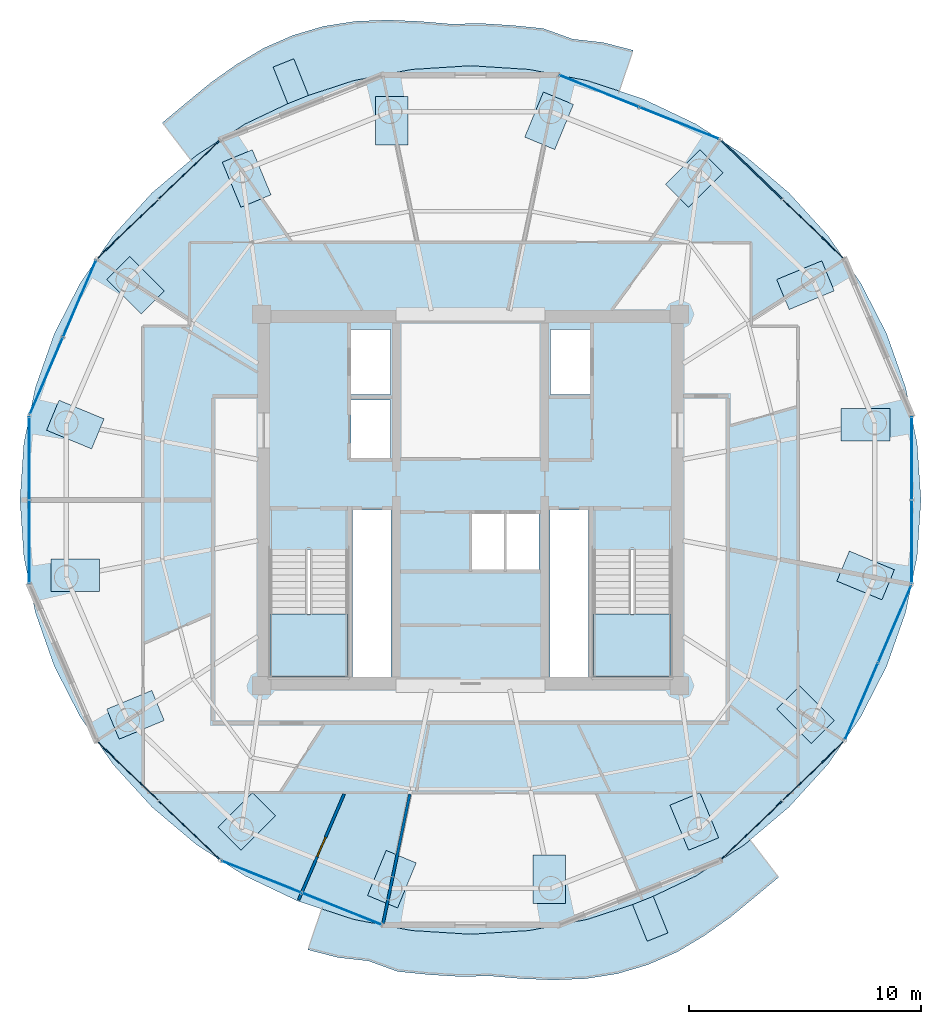
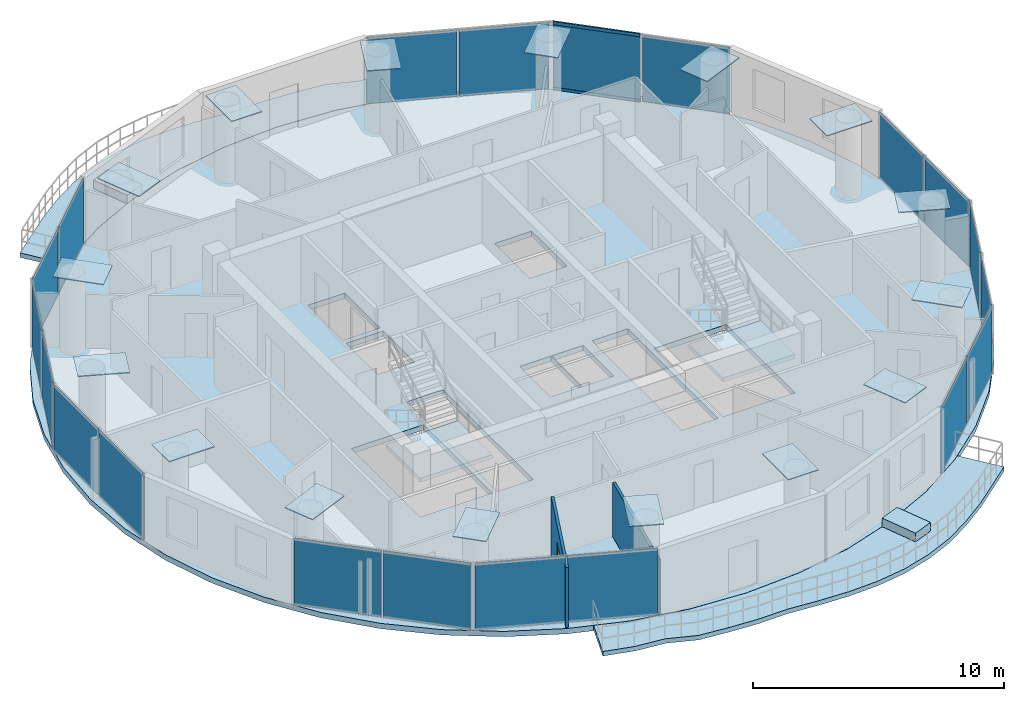
# One storey, part 16 of 23: 36 plates, 7 slabs, 2 members, 2 walls, 1 door, 1 opening, 12 elements without a shape of their own.
"""IFC4 building model written with IfcOpenShell, lengths in metres."""

from ifc_helpers import new_model, si_unit, direction, frame, frame_2d, origin, origin_2d, place, context, subcontext, project, spatial, polyline, rectangle, hollow_rectangle, outline, extrude, source, transform, mapped, material, layer, layer_set, material_profile, profile_set, type_object, element, fill, aggregate, save


model = new_model("IFC4")

# Units and contexts
model_context = context("Model", 3, precision=1e-05, world=origin(), true_north=direction((-0.2419218956, 0.970295726276)))
body_context = subcontext(model_context, "Body", "Model", "MODEL_VIEW")
ifc_project = project(units=[si_unit("LENGTHUNIT", "METRE"), si_unit("AREAUNIT", "SQUARE_METRE"), si_unit("VOLUMEUNIT", "CUBIC_METRE"), si_unit("PLANEANGLEUNIT", "RADIAN"), si_unit("MASSUNIT", "GRAM", prefix="KILO")], contexts=[model_context])

# Site, building, storey
site_placement = place(None, origin())
site = spatial("IfcSite", under=ifc_project, at=site_placement, CompositionType="ELEMENT")
building_placement = place(site_placement, origin())
building = spatial("IfcBuilding", under=site, at=building_placement, Name="Cobrevalo Terracotta Tower", CompositionType="ELEMENT")
storey_placement = place(building_placement, frame((0.0, 0.0, 296.949951171875)))
storey = spatial("IfcBuildingStorey", under=building, at=storey_placement, Name="L78", CompositionType="ELEMENT", Elevation=296.949951171875)

# Curtain wall, members
ifc_material_1 = material(Name="Anodized aluminium", Category="aluminium")
curtain_wall_type = type_object("IfcCurtainWallType", Name="Upper-tower triple-glazed penthouse curtain wall CW-U3", PredefinedType="NOTDEFINED", material=ifc_material_1)
curtain_wall_1_placement = place(storey_placement, origin())
curtain_wall_1 = element("IfcCurtainWall", 1, at=curtain_wall_1_placement, inside=storey, type_object=curtain_wall_type, Name="L78 curtain wall CW-L78-S02", PredefinedType="NOTDEFINED")
ifc_material_profile = material_profile(ifc_material_1, hollow_rectangle(XDim=0.074951171875, YDim=0.14990234375, WallThickness=0.00439453125, at=origin_2d()), Name="CWT 75x150")
ifc_profile_set = profile_set([ifc_material_profile], Name="Anodized aluminium")
member_type = type_object("IfcMemberType", Name="Tower unitised aluminium transom 75x150", PredefinedType="USERDEFINED", material=ifc_profile_set)
shared_shape_1 = source(origin(), body_context, "Body", "SweptSolid", [
    extrude(hollow_rectangle(XDim=0.074951171875, YDim=0.14990234375, WallThickness=0.00439453125, at=origin_2d()), origin(), (0.0, 0.0, 1.0), 3.59130859375),
])
member_1_placement = place(storey_placement, frame((51.40478515625, 39.77587890625, 0.050048828125), z_axis=(-0.720005628362, 0.693968223427, 0.0), x_axis=(-0.693968223427, -0.720005628362, 0.0)))
member_1 = element("IfcMember", 2, at=member_1_placement, type_object=member_type, Name="CW-L78-S02 transom B02-T1", ObjectType="TRANSOM", PredefinedType="USERDEFINED", context=body_context, shape_type="MappedRepresentation", body=[
    mapped(shared_shape_1, transform((0.0, 0.0, 0.0), scale=1.0)),
])
member_2_placement = place(storey_placement, frame((51.40478515625, 39.77587890625, 3.25), z_axis=(-0.720005628362, 0.693968223427, 0.0), x_axis=(-0.693968223427, -0.720005628362, 0.0)))
member_2 = element("IfcMember", 3, at=member_2_placement, type_object=member_type, Name="CW-L78-S02 transom B02-T2", ObjectType="TRANSOM", PredefinedType="USERDEFINED", context=body_context, shape_type="MappedRepresentation", body=[
    mapped(shared_shape_1, transform((0.0, 0.0, 0.0), scale=1.0)),
])

# Stair, slab
ifc_material_2 = material(Name="Concrete C50", Category="concrete")
stair_type = type_object("IfcStairType", Name="Core protected escape dogleg stair 1600", PredefinedType="HALF_TURN_STAIR", material=ifc_material_2)
stair_1_placement = place(storey_placement, origin())
stair_1 = element("IfcStair", 4, at=stair_1_placement, inside=storey, type_object=stair_type, Name="L78 Protected exit stair ST-1", PredefinedType="HALF_TURN_STAIR")
ifc_layer_1 = layer(ifc_material_2, 0.199951171875)
ifc_layer_set_1 = layer_set([ifc_layer_1], Name="Concrete C50")
slab_type_1 = type_object("IfcSlabType", Name="Reinforced Concrete Stair Landing 200", PredefinedType="LANDING", material=ifc_layer_set_1)
slab_1_placement = place(storey_placement, frame((0.0, 0.0, 1.675048828125)))
slab_1 = element("IfcSlab", 5, at=slab_1_placement, type_object=slab_type_1, Name="ST-1 landing 1", PredefinedType="LANDING", context=body_context, shape_type="SweptSolid", body=[
    extrude(outline(polyline([(29.375, 21.89990234375), (29.375, 19.175048828125), (32.695068359375, 19.175048828125), (32.695068359375, 21.89990234375), (29.375, 21.89990234375)])), origin(), (0.0, 0.0, 1.0), 0.199951171875),
])
aggregate(stair_1, [slab_1])

stair_2_placement = place(storey_placement, origin())
stair_2 = element("IfcStair", 6, at=stair_2_placement, inside=storey, type_object=stair_type, Name="L78 Protected exit stair ST-2", PredefinedType="HALF_TURN_STAIR")
slab_2_placement = place(storey_placement, frame((0.0, 0.0, 1.675048828125)))
slab_2 = element("IfcSlab", 7, at=slab_2_placement, type_object=slab_type_1, Name="ST-2 landing 1", PredefinedType="LANDING", context=body_context, shape_type="SweptSolid", body=[
    extrude(outline(polyline([(43.304931640625, 21.89990234375), (43.304931640625, 19.175048828125), (46.625, 19.175048828125), (46.625, 21.89990234375), (43.304931640625, 21.89990234375)])), origin(), (0.0, 0.0, 1.0), 0.199951171875),
])
aggregate(stair_2, [slab_2])

# Slabs
ifc_material_3 = material(Name="Concrete C45", Category="concrete")
ifc_layer_2 = layer(ifc_material_3, 0.219970703125)
ifc_layer_set_2 = layer_set([ifc_layer_2], Name="Concrete C45")
slab_type_2 = type_object("IfcSlabType", Name="Spiralling cantilevered balcony lobe slab 220 mm", PredefinedType="FLOOR", material=ifc_layer_set_2)
slab_3_placement = place(storey_placement, frame((0.0, 0.0, -0.219970703125)))
element("IfcSlab", 8, at=slab_3_placement, inside=storey, type_object=slab_type_2, Name="L78 spiralling arc balcony slab lobe 1", PredefinedType="FLOOR", context=body_context, shape_type="SweptSolid", body=[
    extrude(outline(polyline([(45.00439453125, 46.167724609375), (43.71826171875, 46.5009765625), (42.3955078125, 46.64990234375), (41.1298828125, 47.107177734375), (39.805419921875, 47.2392578125), (38.474853515625, 47.322021484375), (37.143798828125, 47.299072265625), (35.79345703125, 47.413330078125), (34.424560546875, 47.47119140625), (33.044921875, 47.415283203125), (31.6826171875, 47.203125), (30.360107421875, 46.812255859375), (29.09912109375, 46.26318359375), (27.919189453125, 45.553955078125), (26.804931640625, 44.763427734375), (25.7587890625, 43.899658203125), (24.730712890625, 43.044677734375), (25.95654296875, 41.44091796875), (26.188720703125, 41.63720703125), (28.299072265625, 42.996337890625), (30.5751953125, 44.078369140625), (32.978271484375, 44.86474609375), (35.467529296875, 45.342041015625), (38.0, 45.501953125), (40.532470703125, 45.342041015625), (43.021728515625, 44.86474609375), (44.41015625, 44.410400390625), (45.00439453125, 46.167724609375)])), origin(), (0.0, 0.0, 1.0), 0.219970703125),
])
slab_4_placement = place(storey_placement, frame((0.0, 0.0, -0.219970703125)))
element("IfcSlab", 9, at=slab_4_placement, inside=storey, type_object=slab_type_2, Name="L78 spiralling arc balcony slab lobe 2", PredefinedType="FLOOR", context=body_context, shape_type="SweptSolid", body=[
    extrude(outline(polyline([(30.99560546875, 7.432373046875), (32.28173828125, 7.09912109375), (33.6044921875, 6.9501953125), (34.8701171875, 6.492919921875), (36.194580078125, 6.36083984375), (37.525146484375, 6.27783203125), (38.856201171875, 6.301025390625), (40.20654296875, 6.186767578125), (41.575439453125, 6.12890625), (42.955078125, 6.184814453125), (44.3173828125, 6.396728515625), (45.639892578125, 6.787841796875), (46.90087890625, 7.3369140625), (48.080810546875, 8.046142578125), (49.195068359375, 8.836669921875), (50.2412109375, 9.7001953125), (51.269287109375, 10.555419921875), (50.04345703125, 12.1591796875), (49.811279296875, 11.962646484375), (47.700927734375, 10.603515625), (45.4248046875, 9.521484375), (43.021728515625, 8.7353515625), (40.532470703125, 8.258056640625), (38.0, 8.097900390625), (35.467529296875, 8.258056640625), (32.978271484375, 8.7353515625), (31.58984375, 9.189697265625), (30.99560546875, 7.432373046875)])), origin(), (0.0, 0.0, 1.0), 0.219970703125),
])
ifc_material_4 = material(Name="Precast concrete C45", Category="concrete")
ifc_layer_3 = layer(ifc_material_4, 0.419921875)
ifc_layer_set_3 = layer_set([ifc_layer_3], Name="Precast concrete C45")
slab_type_3 = type_object("IfcSlabType", Name="Structural tree planter trough base 420 mm", PredefinedType="USERDEFINED", material=ifc_layer_set_3)
slab_5_placement = place(storey_placement, origin())
element("IfcSlab", 10, at=slab_5_placement, inside=storey, type_object=slab_type_3, Name="L78 structural tree planter trough 1", ObjectType="PLANTER", PredefinedType="USERDEFINED", context=body_context, shape_type="SweptSolid", body=[
    extrude(outline(polyline([(31.0224609375, 44.222900390625), (30.39111328125, 45.80126953125), (29.499755859375, 45.44482421875), (30.131103515625, 43.8662109375), (31.0224609375, 44.222900390625)])), origin(), (0.0, 0.0, 1.0), 0.420166015625),
])
slab_6_placement = place(storey_placement, origin())
element("IfcSlab", 11, at=slab_6_placement, inside=storey, type_object=slab_type_3, Name="L78 structural tree planter trough 2", ObjectType="PLANTER", PredefinedType="USERDEFINED", context=body_context, shape_type="SweptSolid", body=[
    extrude(outline(polyline([(44.9775390625, 9.377197265625), (45.60888671875, 7.798828125), (46.500244140625, 8.1552734375), (45.868896484375, 9.733642578125), (44.9775390625, 9.377197265625)])), origin(), (0.0, 0.0, 1.0), 0.420166015625),
])
ifc_layer_4 = layer(ifc_material_3, 0.260009765625)
ifc_layer_set_4 = layer_set([ifc_layer_4], Name="Concrete C45")
slab_type_4 = type_object("IfcSlabType", Name="Zone Z5 elliptical floor plate 260 mm", PredefinedType="FLOOR", material=ifc_layer_set_4)
slab_7_placement = place(storey_placement, frame((0.0, 0.0, -0.260009765625)))
element("IfcSlab", 12, at=slab_7_placement, inside=storey, type_object=slab_type_4, Name="L78 indoor elliptical floor slab", PredefinedType="FLOOR", context=body_context, shape_type="SweptSolid", body=[
    extrude(outline(polyline([(57.234130859375, 24.359130859375), (56.739013671875, 21.9599609375), (55.92333984375, 19.643798828125), (54.80078125, 17.449951171875), (53.39111328125, 15.416259765625), (51.7177734375, 13.5771484375), (49.81005859375, 11.96435546875), (47.699951171875, 10.605224609375), (45.424072265625, 9.5234375), (43.02099609375, 8.7373046875), (40.5322265625, 8.260009765625), (38.0, 8.10009765625), (35.4677734375, 8.260009765625), (32.97900390625, 8.7373046875), (30.575927734375, 9.5234375), (28.300048828125, 10.605224609375), (26.18994140625, 11.96435546875), (24.2822265625, 13.5771484375), (22.60888671875, 15.416259765625), (21.19921875, 17.449951171875), (20.07666015625, 19.643798828125), (19.260986328125, 21.9599609375), (18.765869140625, 24.359130859375), (18.60009765625, 26.800048828125), (18.765869140625, 29.24072265625), (19.260986328125, 31.639892578125), (20.07666015625, 33.956298828125), (21.19921875, 36.14990234375), (22.60888671875, 38.183837890625), (24.2822265625, 40.02294921875), (26.18994140625, 41.6357421875), (28.300048828125, 42.99462890625), (30.575927734375, 44.07666015625), (32.97900390625, 44.86279296875), (35.4677734375, 45.340087890625), (38.0, 45.5), (40.5322265625, 45.340087890625), (43.02099609375, 44.86279296875), (45.424072265625, 44.07666015625), (47.699951171875, 42.99462890625), (49.81005859375, 41.6357421875), (51.7177734375, 40.02294921875), (53.39111328125, 38.183837890625), (54.80078125, 36.14990234375), (55.92333984375, 33.956298828125), (56.739013671875, 31.639892578125), (57.234130859375, 29.24072265625), (57.39990234375, 26.800048828125), (57.234130859375, 24.359130859375)]), holes=[polyline([(32.695068359375, 19.175048828125), (32.695068359375, 24.659912109375), (29.375, 24.659912109375), (29.375, 19.175048828125), (32.695068359375, 19.175048828125)]), polyline([(46.625, 19.175048828125), (46.625, 24.659912109375), (43.304931640625, 24.659912109375), (43.304931640625, 19.175048828125), (46.625, 19.175048828125)]), polyline([(34.574951171875, 26.360107421875), (32.919921875, 26.360107421875), (32.919921875, 19.175048828125), (34.574951171875, 19.175048828125), (34.574951171875, 26.360107421875)]), polyline([(43.080078125, 26.360107421875), (41.425048828125, 26.360107421875), (41.425048828125, 19.175048828125), (43.080078125, 19.175048828125), (43.080078125, 26.360107421875)]), polyline([(39.469970703125, 26.25), (38.0400390625, 26.25), (38.0400390625, 23.800048828125), (39.469970703125, 23.800048828125), (39.469970703125, 26.25)]), polyline([(40.949951171875, 26.25), (39.52001953125, 26.25), (39.52001953125, 23.800048828125), (40.949951171875, 23.800048828125), (40.949951171875, 26.25)]), polyline([(34.550048828125, 31.10009765625), (32.85009765625, 31.10009765625), (32.85009765625, 28.60009765625), (34.550048828125, 28.60009765625), (34.550048828125, 31.10009765625)]), polyline([(34.550048828125, 31.35009765625), (34.550048828125, 34.14990234375), (32.85009765625, 34.14990234375), (32.85009765625, 31.35009765625), (34.550048828125, 31.35009765625)]), polyline([(43.14990234375, 31.35009765625), (43.14990234375, 34.14990234375), (41.449951171875, 34.14990234375), (41.449951171875, 31.35009765625), (43.14990234375, 31.35009765625)])]), origin(), (0.0, 0.0, 1.0), 0.260009765625),
])

# Plates
ifc_material_5 = material(Name="Steel S355", Category="steel")
ifc_layer_5 = layer(ifc_material_5, 0.044921875)
ifc_layer_set_5 = layer_set([ifc_layer_5], Name="Steel S355")
plate_type_1 = type_object("IfcPlateType", Name="Structural Cap Plate 2100x1400x45 (Steel S355)", PredefinedType="USERDEFINED", material=ifc_layer_set_5)
shared_shape_2 = source(origin(), body_context, "Body", "SweptSolid", [
    extrude(rectangle(XDim=2.10009765625, YDim=1.39990234375, at=origin_2d()), origin(), (0.0, 0.0, 1.0), 0.044921875),
])
for number, where, z_axis, x_axis, name in (
    (13, (55.0166015625, 30.04833984375, 3.7275390625), (0.0, 0.0, 1.0), (1.0, 0.0, 0.0), "L78 hollow end cap plate CAP-MCT-L78-01"),
    (14, (52.426025390625, 36.05029296875, 3.7275390625), (0.0, 0.0, 1.0), (0.923879532511, 0.382683432365, 0.0), "L78 hollow end cap plate CAP-MCT-L78-02"),
    (15, (47.63916015625, 40.64404296875, 3.7275390625), (0.0, 0.0, 1.0), (0.707106781187, 0.707106781187, 0.0), "L78 hollow end cap plate CAP-MCT-L78-03"),
    (16, (41.384765625, 43.130126953125, 3.7275390625), (0.0, 0.0, 1.0), (0.382683432365, 0.923879532511, 0.0), "L78 hollow end cap plate CAP-MCT-L78-04"),
    (17, (34.615234375, 43.130126953125, 3.7275390625), (0.0, 0.0, 1.0), (0.0, 1.0, 0.0), "L78 hollow end cap plate CAP-MCT-L78-05"),
    (18, (28.36083984375, 40.64404296875, 3.7275390625), (0.0, 0.0, 1.0), (-0.382683432365, 0.923879532511, 0.0), "L78 hollow end cap plate CAP-MCT-L78-06"),
    (19, (23.573974609375, 36.05029296875, 3.7275390625), (0.0, 0.0, 1.0), (-0.707106781187, 0.707106781187, 0.0), "L78 hollow end cap plate CAP-MCT-L78-07"),
    (20, (20.9833984375, 30.04833984375, 3.7275390625), (0.0, 0.0, 1.0), (-0.923879532511, 0.382683432365, 0.0), "L78 hollow end cap plate CAP-MCT-L78-08"),
    (21, (20.9833984375, 23.5517578125, 3.7275390625), (0.0, 0.0, 1.0), (-1.0, 0.0, 0.0), "L78 hollow end cap plate CAP-MCT-L78-09"),
    (22, (23.573974609375, 17.5498046875, 3.7275390625), (0.0, 0.0, 1.0), (-0.923879532511, -0.382683432365, 0.0), "L78 hollow end cap plate CAP-MCT-L78-10"),
    (23, (28.36083984375, 12.9560546875, 3.7275390625), (0.0, 0.0, 1.0), (-0.707106781187, -0.707106781187, 0.0), "L78 hollow end cap plate CAP-MCT-L78-11"),
    (24, (34.615234375, 10.469970703125, 3.7275390625), (0.0, 0.0, 1.0), (-0.382683432365, -0.923879532511, 0.0), "L78 hollow end cap plate CAP-MCT-L78-12"),
    (25, (41.384765625, 10.469970703125, 3.7275390625), (0.0, 0.0, 1.0), (0.0, -1.0, 0.0), "L78 hollow end cap plate CAP-MCT-L78-13"),
    (26, (47.63916015625, 12.9560546875, 3.7275390625), (0.0, 0.0, 1.0), (0.382683432365, -0.923879532511, 0.0), "L78 hollow end cap plate CAP-MCT-L78-14"),
    (27, (52.426025390625, 17.5498046875, 3.7275390625), (0.0, 0.0, 1.0), (0.707106781187, -0.707106781187, 0.0), "L78 hollow end cap plate CAP-MCT-L78-15"),
    (28, (55.0166015625, 23.5517578125, 3.7275390625), (0.0, 0.0, 1.0), (0.923879532511, -0.382683432365, 0.0), "L78 hollow end cap plate CAP-MCT-L78-16"),
):
    element("IfcPlate", number, at=place(storey_placement, frame(where, z_axis=z_axis, x_axis=x_axis)), inside=storey, type_object=plate_type_1, Name=name, ObjectType="CAP PLATE", PredefinedType="USERDEFINED", context=body_context, shape_type="MappedRepresentation", body=[
        mapped(shared_shape_2, transform((0.0, 0.0, 0.0), scale=1.0)),
    ])

# Plate
ifc_material_6 = material(Name="Solar-control low-E double glazing", Category="glass")
ifc_layer_6 = layer(ifc_material_6, 0.028076171875)
ifc_layer_set_6 = layer_set([ifc_layer_6], Name="Solar-control low-E double glazing")
plate_type_2 = type_object("IfcPlateType", Name="Tower solar-control low-E vision glass panel 28 mm", PredefinedType="CURTAIN_PANEL", material=ifc_layer_set_6)
shared_shape_3 = source(origin(), body_context, "Body", "SweptSolid", [
    extrude(rectangle(XDim=3.59130859375, YDim=0.035888671875, at=origin_2d()), origin(), (0.0, 0.0, 1.0), 3.219970703125),
])
plate_1_placement = place(storey_placement, frame((52.755126953125, 38.47412109375, 0.0400390625), z_axis=(0.0, 0.0, 1.0), x_axis=(-0.719996603293, 0.693977586992, 0.0)))
plate_1 = element("IfcPlate", 29, at=plate_1_placement, type_object=plate_type_2, Name="CW-L78-S02 glazing panel B01", PredefinedType="CURTAIN_PANEL", context=body_context, shape_type="MappedRepresentation", body=[
    mapped(shared_shape_3, transform((0.0, 0.0, 0.0), scale=1.0)),
])

plate_2_placement = place(storey_placement, frame((50.11181640625, 41.02197265625, 0.0400390625), z_axis=(0.0, 0.0, 1.0), x_axis=(-0.719996603293, 0.693977586992, 0.0)))
plate_2 = element("IfcPlate", 30, at=plate_2_placement, type_object=plate_type_2, Name="CW-L78-S02 glazing panel B02", PredefinedType="CURTAIN_PANEL", context=body_context, shape_type="MappedRepresentation", body=[
    mapped(shared_shape_3, transform((0.0, 0.0, 0.0), scale=1.0)),
])

aggregate(curtain_wall_1, [plate_1, member_1, member_2, plate_2])

# Curtain wall, plates
curtain_wall_2_placement = place(storey_placement, origin())
curtain_wall_2 = element("IfcCurtainWall", 31, at=curtain_wall_2_placement, inside=storey, type_object=curtain_wall_type, Name="L78 curtain wall CW-L78-S06", PredefinedType="NOTDEFINED")
plate_3_placement = place(storey_placement, frame((25.88818359375, 41.02197265625, 0.0400390625), z_axis=(0.0, 0.0, 1.0), x_axis=(-0.719996603293, -0.693977586992, 0.0)))
plate_3 = element("IfcPlate", 32, at=plate_3_placement, type_object=plate_type_2, Name="CW-L78-S06 glazing panel B01", PredefinedType="CURTAIN_PANEL", context=body_context, shape_type="MappedRepresentation", body=[
    mapped(shared_shape_3, transform((0.0, 0.0, 0.0), scale=1.0)),
])
plate_4_placement = place(storey_placement, frame((23.244873046875, 38.47412109375, 0.0400390625), z_axis=(0.0, 0.0, 1.0), x_axis=(-0.719996603293, -0.693977586992, 0.0)))
plate_4 = element("IfcPlate", 33, at=plate_4_placement, type_object=plate_type_2, Name="CW-L78-S06 glazing panel B02", PredefinedType="CURTAIN_PANEL", context=body_context, shape_type="MappedRepresentation", body=[
    mapped(shared_shape_3, transform((0.0, 0.0, 0.0), scale=1.0)),
])
aggregate(curtain_wall_2, [plate_3, plate_4])

curtain_wall_3_placement = place(storey_placement, origin())
curtain_wall_3 = element("IfcCurtainWall", 34, at=curtain_wall_3_placement, inside=storey, type_object=curtain_wall_type, Name="L78 curtain wall CW-L78-S10", PredefinedType="NOTDEFINED")
plate_5_placement = place(storey_placement, frame((23.244873046875, 15.1259765625, 0.0400390625), z_axis=(0.0, 0.0, 1.0), x_axis=(0.719996603293, -0.693977586992, 0.0)))
plate_5 = element("IfcPlate", 35, at=plate_5_placement, type_object=plate_type_2, Name="CW-L78-S10 glazing panel B01", PredefinedType="CURTAIN_PANEL", context=body_context, shape_type="MappedRepresentation", body=[
    mapped(shared_shape_3, transform((0.0, 0.0, 0.0), scale=1.0)),
])
plate_6_placement = place(storey_placement, frame((25.88818359375, 12.578125, 0.0400390625), z_axis=(0.0, 0.0, 1.0), x_axis=(0.719996603293, -0.693977586992, 0.0)))
plate_6 = element("IfcPlate", 36, at=plate_6_placement, type_object=plate_type_2, Name="CW-L78-S10 glazing panel B02", PredefinedType="CURTAIN_PANEL", context=body_context, shape_type="MappedRepresentation", body=[
    mapped(shared_shape_3, transform((0.0, 0.0, 0.0), scale=1.0)),
])
aggregate(curtain_wall_3, [plate_5, plate_6])

curtain_wall_4_placement = place(storey_placement, origin())
curtain_wall_4 = element("IfcCurtainWall", 37, at=curtain_wall_4_placement, inside=storey, type_object=curtain_wall_type, Name="L78 curtain wall CW-L78-S14", PredefinedType="NOTDEFINED")
plate_7_placement = place(storey_placement, frame((50.11181640625, 12.578125, 0.0400390625), z_axis=(0.0, 0.0, 1.0), x_axis=(0.719996603293, 0.693977586992, 0.0)))
plate_7 = element("IfcPlate", 38, at=plate_7_placement, type_object=plate_type_2, Name="CW-L78-S14 glazing panel B01", PredefinedType="CURTAIN_PANEL", context=body_context, shape_type="MappedRepresentation", body=[
    mapped(shared_shape_3, transform((0.0, 0.0, 0.0), scale=1.0)),
])
plate_8_placement = place(storey_placement, frame((52.755126953125, 15.1259765625, 0.0400390625), z_axis=(0.0, 0.0, 1.0), x_axis=(0.719996603293, 0.693977586992, 0.0)))
plate_8 = element("IfcPlate", 39, at=plate_8_placement, type_object=plate_type_2, Name="CW-L78-S14 glazing panel B02", PredefinedType="CURTAIN_PANEL", context=body_context, shape_type="MappedRepresentation", body=[
    mapped(shared_shape_3, transform((0.0, 0.0, 0.0), scale=1.0)),
])
aggregate(curtain_wall_4, [plate_7, plate_8])

curtain_wall_5_placement = place(storey_placement, origin())
curtain_wall_5 = element("IfcCurtainWall", 40, at=curtain_wall_5_placement, inside=storey, type_object=curtain_wall_type, Name="L78 curtain wall CW-L78-S03", PredefinedType="NOTDEFINED")
shared_shape_4 = source(origin(), body_context, "Body", "SweptSolid", [
    extrude(rectangle(XDim=3.63916015625, YDim=0.035888671875, at=origin_2d()), origin(), (0.0, 0.0, 1.0), 3.219970703125),
])
plate_9_placement = place(storey_placement, frame((46.997314453125, 43.02783203125, 0.0400390625), z_axis=(0.0, 0.0, 1.0), x_axis=(-0.92871833374, 0.370785998353, 0.0)))
plate_9 = element("IfcPlate", 41, at=plate_9_placement, type_object=plate_type_2, Name="CW-L78-S03 glazing panel B01", PredefinedType="CURTAIN_PANEL", context=body_context, shape_type="MappedRepresentation", body=[
    mapped(shared_shape_4, transform((0.0, 0.0, 0.0), scale=1.0)),
])
plate_10_placement = place(storey_placement, frame((43.543212890625, 44.406982421875, 0.0400390625), z_axis=(0.0, 0.0, 1.0), x_axis=(-0.92871833374, 0.370785998353, 0.0)))
plate_10 = element("IfcPlate", 42, at=plate_10_placement, type_object=plate_type_2, Name="CW-L78-S03 glazing panel B02", PredefinedType="CURTAIN_PANEL", context=body_context, shape_type="MappedRepresentation", body=[
    mapped(shared_shape_4, transform((0.0, 0.0, 0.0), scale=1.0)),
])
aggregate(curtain_wall_5, [plate_9, plate_10])

curtain_wall_6_placement = place(storey_placement, origin())
curtain_wall_6 = element("IfcCurtainWall", 43, at=curtain_wall_6_placement, inside=storey, type_object=curtain_wall_type, Name="L78 curtain wall CW-L78-S11", PredefinedType="NOTDEFINED")
plate_11_placement = place(storey_placement, frame((29.002685546875, 10.572021484375, 0.0400390625), z_axis=(0.0, 0.0, 1.0), x_axis=(0.92871833374, -0.370785998353, 0.0)))
plate_11 = element("IfcPlate", 44, at=plate_11_placement, type_object=plate_type_2, Name="CW-L78-S11 glazing panel B01", PredefinedType="CURTAIN_PANEL", context=body_context, shape_type="MappedRepresentation", body=[
    mapped(shared_shape_4, transform((0.0, 0.0, 0.0), scale=1.0)),
])
plate_12_placement = place(storey_placement, frame((32.456787109375, 9.193115234375, 0.0400390625), z_axis=(0.0, 0.0, 1.0), x_axis=(0.92871833374, -0.370785998353, 0.0)))
plate_12 = element("IfcPlate", 45, at=plate_12_placement, type_object=plate_type_2, Name="CW-L78-S11 glazing panel B02", PredefinedType="CURTAIN_PANEL", context=body_context, shape_type="MappedRepresentation", body=[
    mapped(shared_shape_4, transform((0.0, 0.0, 0.0), scale=1.0)),
])
aggregate(curtain_wall_6, [plate_11, plate_12])

curtain_wall_7_placement = place(storey_placement, origin())
curtain_wall_7 = element("IfcCurtainWall", 46, at=curtain_wall_7_placement, inside=storey, type_object=curtain_wall_type, Name="L78 curtain wall CW-L78-S07", PredefinedType="NOTDEFINED")
shared_shape_5 = source(origin(), body_context, "Body", "SweptSolid", [
    extrude(rectangle(XDim=3.542724609375, YDim=0.035888671875, at=origin_2d()), origin(), (0.0, 0.0, 1.0), 3.219970703125),
])
plate_13_placement = place(storey_placement, frame((21.16357421875, 35.4716796875, 0.0400390625), z_axis=(0.0, 0.0, 1.0), x_axis=(-0.394828845134, -0.918754691444, 0.0)))
plate_13 = element("IfcPlate", 47, at=plate_13_placement, type_object=plate_type_2, Name="CW-L78-S07 glazing panel B01", PredefinedType="CURTAIN_PANEL", context=body_context, shape_type="MappedRepresentation", body=[
    mapped(shared_shape_5, transform((0.0, 0.0, 0.0), scale=1.0)),
])
plate_14_placement = place(storey_placement, frame((19.733154296875, 32.143310546875, 0.0400390625), z_axis=(0.0, 0.0, 1.0), x_axis=(-0.394828845134, -0.918754691444, 0.0)))
plate_14 = element("IfcPlate", 48, at=plate_14_placement, type_object=plate_type_2, Name="CW-L78-S07 glazing panel B02", PredefinedType="CURTAIN_PANEL", context=body_context, shape_type="MappedRepresentation", body=[
    mapped(shared_shape_5, transform((0.0, 0.0, 0.0), scale=1.0)),
])
aggregate(curtain_wall_7, [plate_13, plate_14])

curtain_wall_8_placement = place(storey_placement, origin())
curtain_wall_8 = element("IfcCurtainWall", 49, at=curtain_wall_8_placement, inside=storey, type_object=curtain_wall_type, Name="L78 curtain wall CW-L78-S15", PredefinedType="NOTDEFINED")
plate_15_placement = place(storey_placement, frame((54.83642578125, 18.12841796875, 0.0400390625), z_axis=(0.0, 0.0, 1.0), x_axis=(0.394828845134, 0.918754691444, 0.0)))
plate_15 = element("IfcPlate", 50, at=plate_15_placement, type_object=plate_type_2, Name="CW-L78-S15 glazing panel B01", PredefinedType="CURTAIN_PANEL", context=body_context, shape_type="MappedRepresentation", body=[
    mapped(shared_shape_5, transform((0.0, 0.0, 0.0), scale=1.0)),
])
plate_16_placement = place(storey_placement, frame((56.266845703125, 21.456787109375, 0.0400390625), z_axis=(0.0, 0.0, 1.0), x_axis=(0.394828845134, 0.918754691444, 0.0)))
plate_16 = element("IfcPlate", 51, at=plate_16_placement, type_object=plate_type_2, Name="CW-L78-S15 glazing panel B02", PredefinedType="CURTAIN_PANEL", context=body_context, shape_type="MappedRepresentation", body=[
    mapped(shared_shape_5, transform((0.0, 0.0, 0.0), scale=1.0)),
])
aggregate(curtain_wall_8, [plate_15, plate_16])

curtain_wall_9_placement = place(storey_placement, origin())
curtain_wall_9 = element("IfcCurtainWall", 52, at=curtain_wall_9_placement, inside=storey, type_object=curtain_wall_type, Name="L78 curtain wall CW-L78-S08", PredefinedType="NOTDEFINED")
shared_shape_6 = source(origin(), body_context, "Body", "SweptSolid", [
    extrude(rectangle(XDim=3.522216796875, YDim=0.035888671875, at=origin_2d()), origin(), (0.0, 0.0, 1.0), 3.219970703125),
])
plate_17_placement = place(storey_placement, frame((19.002197265625, 28.60107421875, 0.0400390625), z_axis=(0.0, 0.0, 1.0), x_axis=(0.0, -1.0, 0.0)))
plate_17 = element("IfcPlate", 53, at=plate_17_placement, type_object=plate_type_2, Name="CW-L78-S08 glazing panel B01", PredefinedType="CURTAIN_PANEL", context=body_context, shape_type="MappedRepresentation", body=[
    mapped(shared_shape_6, transform((0.0, 0.0, 0.0), scale=1.0)),
])
plate_18_placement = place(storey_placement, frame((19.002197265625, 24.998779296875, 0.0400390625), z_axis=(0.0, 0.0, 1.0), x_axis=(0.0, -1.0, 0.0)))
plate_18 = element("IfcPlate", 54, at=plate_18_placement, type_object=plate_type_2, Name="CW-L78-S08 glazing panel B02", PredefinedType="CURTAIN_PANEL", context=body_context, shape_type="MappedRepresentation", body=[
    mapped(shared_shape_6, transform((0.0, 0.0, 0.0), scale=1.0)),
])
aggregate(curtain_wall_9, [plate_17, plate_18])

curtain_wall_10_placement = place(storey_placement, origin())
curtain_wall_10 = element("IfcCurtainWall", 55, at=curtain_wall_10_placement, inside=storey, type_object=curtain_wall_type, Name="L78 curtain wall CW-L78-S16", PredefinedType="NOTDEFINED")
plate_19_placement = place(storey_placement, frame((56.997802734375, 24.998779296875, 0.0400390625), z_axis=(0.0, 0.0, 1.0), x_axis=(0.0, 1.0, 0.0)))
plate_19 = element("IfcPlate", 56, at=plate_19_placement, type_object=plate_type_2, Name="CW-L78-S16 glazing panel B01", PredefinedType="CURTAIN_PANEL", context=body_context, shape_type="MappedRepresentation", body=[
    mapped(shared_shape_6, transform((0.0, 0.0, 0.0), scale=1.0)),
])
plate_20_placement = place(storey_placement, frame((56.997802734375, 28.60107421875, 0.0400390625), z_axis=(0.0, 0.0, 1.0), x_axis=(0.0, 1.0, 0.0)))
plate_20 = element("IfcPlate", 57, at=plate_20_placement, type_object=plate_type_2, Name="CW-L78-S16 glazing panel B02", PredefinedType="CURTAIN_PANEL", context=body_context, shape_type="MappedRepresentation", body=[
    mapped(shared_shape_6, transform((0.0, 0.0, 0.0), scale=1.0)),
])
aggregate(curtain_wall_10, [plate_19, plate_20])

# Wall, opening, door
ifc_material_7 = material(Name="Gypsum board on steel stud", Category="steel")
ifc_layer_7 = layer(ifc_material_7, 0.1201171875)
ifc_layer_set_7 = layer_set([ifc_layer_7], Name="Gypsum board on steel stud")
wall_type = type_object("IfcWallType", Name="Residential internal acoustic stud partition 120 mm", PredefinedType="PARTITIONING", material=ifc_layer_set_7)
wall_1_placement = place(storey_placement, frame((32.558837890625, 14.137939453125, 0.0), z_axis=(0.0, 0.0, 1.0), x_axis=(-0.394786072864, -0.918773071369, 0.0)))
wall_1 = element("IfcWall", 58, at=wall_1_placement, inside=storey, type_object=wall_type, Name="L78 interior partition IW-L78-U2-ORAD2", PredefinedType="PARTITIONING", context=body_context, shape_type="SweptSolid", body=[
    extrude(rectangle(XDim=4.962158203125, YDim=0.1201171875, at=frame_2d((2.48095703125, 0.0))), origin(), (0.0, 0.0, 1.0), 2.93115234375),
])
opening_placement = place(wall_1_placement, frame((2.03125, 0.0, 0.0)))
opening = element("IfcOpeningElement", 59, at=opening_placement, cuts=wall_1, Name="Opening ID-12", PredefinedType="OPENING", context=body_context, shape_type="SweptSolid", body=[
    extrude(rectangle(XDim=0.89990234375, YDim=2.14990234375, at=frame_2d((0.449951171875, 1.074951171875))), frame((0.0, 0.070068359375, 0.0), z_axis=(0.0, -1.0, 0.0), x_axis=(1.0, 0.0, 0.0)), (0.0, 0.0, 1.0), 0.14013671875),
])
ifc_material_8 = material(Name="Engineered timber", Category="wood")
door_type = type_object("IfcDoorType", Name="Internal residence & suite timber door 900x2150", OperationType="NOTDEFINED", PredefinedType="DOOR", material=ifc_material_8)
shared_shape_7 = source(origin(), body_context, "Body", "SweptSolid", [
    extrude(rectangle(XDim=0.89990234375, YDim=2.14990234375, at=frame_2d((0.449951171875, 1.074951171875))), frame((0.0, 0.02490234375, 0.0), z_axis=(0.0, -1.0, 0.0), x_axis=(1.0, 0.0, 0.0)), (0.0, 0.0, 1.0), 0.050048828125),
])
door_placement = place(opening_placement, origin())
door = element("IfcDoor", 60, at=door_placement, inside=storey, type_object=door_type, Name="Flat L78B Principal Guest Bedroom internal door", OperationType="SINGLE_SWING_LEFT", OverallHeight=2.14990234375, OverallWidth=0.89990234375, PredefinedType="DOOR", context=body_context, shape_type="MappedRepresentation", body=[
    mapped(shared_shape_7, transform((0.0, 0.0, 0.0), scale=1.0)),
])
fill(opening, door)

# Wall
wall_2_placement = place(storey_placement, frame((35.38623046875, 14.13427734375, 0.0), z_axis=(0.0, 0.0, 1.0), x_axis=(-0.202089570669, -0.979367043262, 0.0)))
element("IfcWall", 61, at=wall_2_placement, inside=storey, type_object=wall_type, Name="L78 interior partition IW-L78-U2-ORAD3", PredefinedType="PARTITIONING", context=body_context, shape_type="SweptSolid", body=[
    extrude(rectangle(XDim=5.69482421875, YDim=0.1201171875, at=frame_2d((2.847412109375, 0.0))), origin(), (0.0, 0.0, 1.0), 2.650146484375),
])

save(model, "model.ifc")
